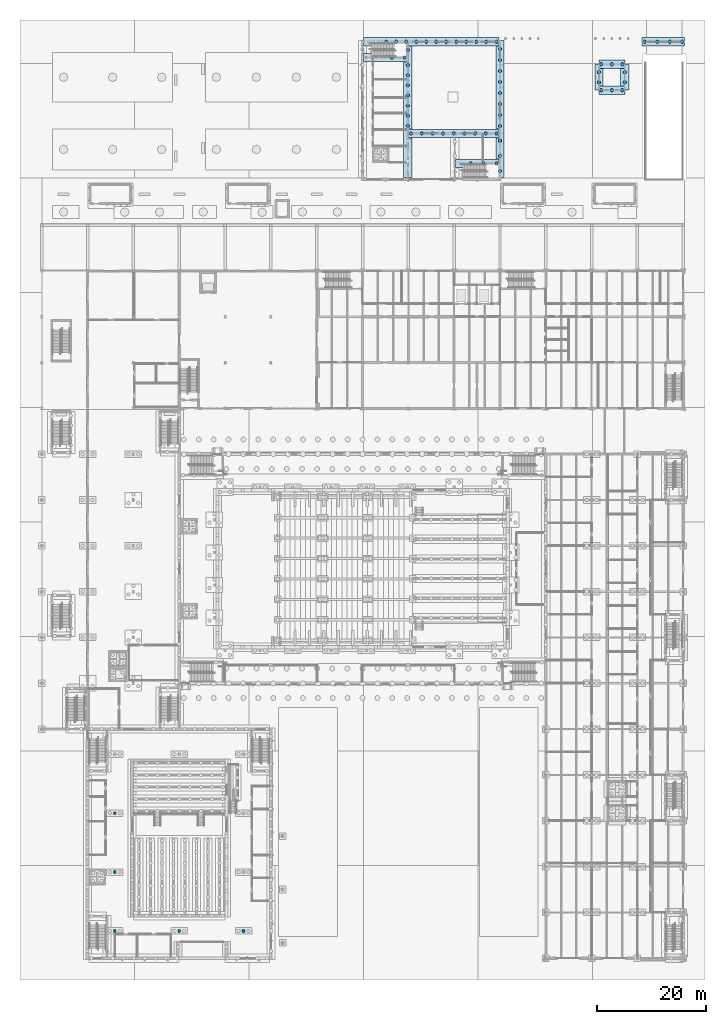
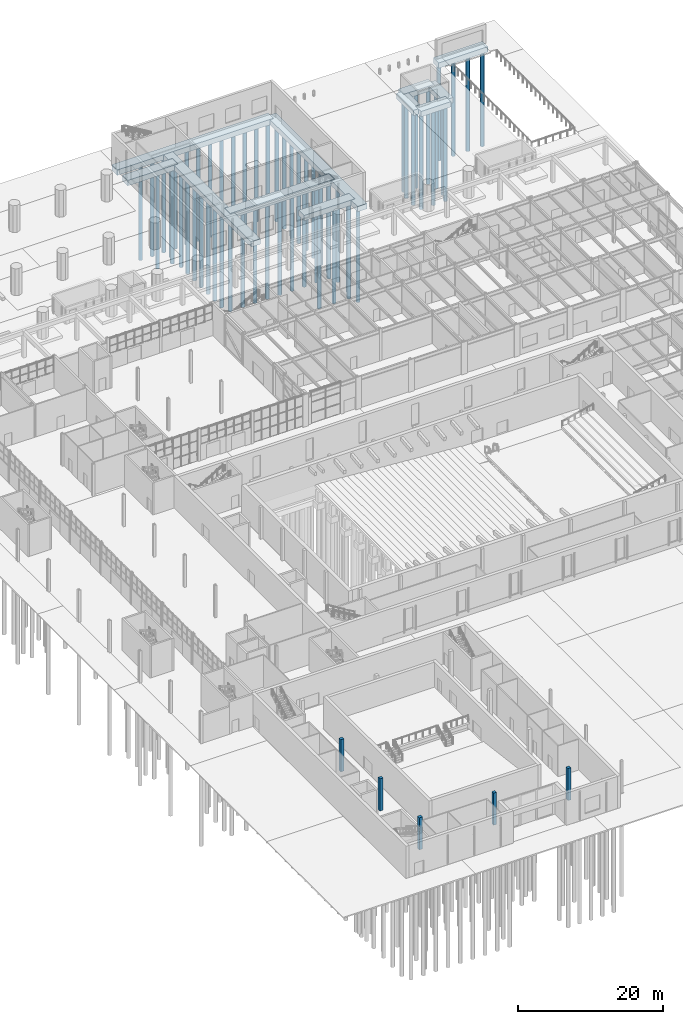
# One storey, part 16 of 127: 59 piles, 11 footings, 5 columns.
"""IFC4 building model written with IfcOpenShell, lengths in metres."""

from ifc_helpers import new_model, si_unit, direction, frame, origin, origin_2d, place, context, subcontext, project, spatial, polyline, rectangle, circle, outline, extrude, material, layer, layer_set, material_profile, profile_set, type_object, element, save


model = new_model("IFC4")

# Units and contexts
model_context = context("Model", 3, precision=1e-05, world=origin(), true_north=direction((0.0, 1.0)))
body_context = subcontext(model_context, "Body", "Model", "MODEL_VIEW")
ifc_project = project(units=[si_unit("LENGTHUNIT", "METRE"), si_unit("AREAUNIT", "SQUARE_METRE"), si_unit("VOLUMEUNIT", "CUBIC_METRE"), si_unit("PLANEANGLEUNIT", "RADIAN"), si_unit("MASSUNIT", "GRAM", prefix="KILO")], contexts=[model_context])

# Site, building, storey
site_placement = place(None, origin())
site = spatial("IfcSite", under=ifc_project, at=site_placement, CompositionType="ELEMENT")
building_placement = place(site_placement, origin())
building = spatial("IfcBuilding", under=site, at=building_placement, Name="Ljudholm Concert House", CompositionType="ELEMENT")
storey_placement = place(building_placement, origin())
storey = spatial("IfcBuildingStorey", under=building, at=storey_placement, Name="L00", CompositionType="ELEMENT", Elevation=0.0)

# Piles
ifc_material_1 = material(Name="Concrete 5,000 psi", Category="concrete")
ifc_material_profile_1 = material_profile(ifc_material_1, circle(Radius=0.300048828125, at=origin_2d()), Name="AUGER-CAST PILE D600")
ifc_profile_set_1 = profile_set([ifc_material_profile_1], Name="Concrete 5,000 psi")
pile_type = type_object("IfcPileType", Name="AUGER-CAST PILE D600", PredefinedType="BORED", material=ifc_profile_set_1)
for number, where, z_axis, x_axis, name in (
    (1, (68.14990234375, 169.10009765625, -1.31005859375), (0.0, 0.0, -1.0), (1.0, 0.0, 0.0), "Pile D600"),
    (2, (70.5, 169.10009765625, -1.31005859375), (0.0, 0.0, -1.0), (1.0, 0.0, 0.0), "Pile D600"),
    (3, (82.61669921875, 149.699951171875, -1.31005859375), (0.0, 0.0, -1.0), (1.0, 0.0, 0.0), "Pile D600"),
    (4, (84.9833984375, 149.699951171875, -1.31005859375), (0.0, 0.0, -1.0), (1.0, 0.0, 0.0), "Pile D600"),
    (5, (87.35009765625, 149.699951171875, -1.31005859375), (0.0, 0.0, -1.0), (1.0, 0.0, 0.0), "Pile D600"),
    (6, (71.699951171875, 155.199951171875, -1.31005859375), (0.0, 0.0, -1.0), (1.0, 0.0, 0.0), "Pile D600"),
    (7, (73.65625, 155.199951171875, -1.31005859375), (0.0, 0.0, -1.0), (1.0, 0.0, 0.0), "Pile D600"),
    (8, (75.612548828125, 155.199951171875, -1.31005859375), (0.0, 0.0, -1.0), (1.0, 0.0, 0.0), "Pile D600"),
    (9, (77.56884765625, 155.199951171875, -1.31005859375), (0.0, 0.0, -1.0), (1.0, 0.0, 0.0), "Pile D600"),
    (10, (79.52490234375, 155.199951171875, -1.31005859375), (0.0, 0.0, -1.0), (1.0, 0.0, 0.0), "Pile D600"),
    (11, (81.481201171875, 155.199951171875, -1.31005859375), (0.0, 0.0, -1.0), (1.0, 0.0, 0.0), "Pile D600"),
    (12, (83.4375, 155.199951171875, -1.31005859375), (0.0, 0.0, -1.0), (1.0, 0.0, 0.0), "Pile D600"),
    (13, (85.393798828125, 155.199951171875, -1.31005859375), (0.0, 0.0, -1.0), (1.0, 0.0, 0.0), "Pile D600"),
    (14, (87.35009765625, 155.199951171875, -1.31005859375), (0.0, 0.0, -1.0), (1.0, 0.0, 0.0), "Pile D600"),
    (15, (67.126953125, 172.0, -1.31005859375), (0.0, 0.0, -1.0), (1.0, 0.0, 0.0), "Pile D600"),
    (16, (68.96533203125, 172.0, -1.31005859375), (0.0, 0.0, -1.0), (1.0, 0.0, 0.0), "Pile D600"),
    (17, (70.803955078125, 172.0, -1.31005859375), (0.0, 0.0, -1.0), (1.0, 0.0, 0.0), "Pile D600"),
    (18, (72.642333984375, 172.0, -1.31005859375), (0.0, 0.0, -1.0), (1.0, 0.0, 0.0), "Pile D600"),
    (19, (74.480712890625, 172.0, -1.31005859375), (0.0, 0.0, -1.0), (1.0, 0.0, 0.0), "Pile D600"),
    (20, (76.3193359375, 172.0, -1.31005859375), (0.0, 0.0, -1.0), (1.0, 0.0, 0.0), "Pile D600"),
    (21, (78.15771484375, 172.0, -1.31005859375), (0.0, 0.0, -1.0), (1.0, 0.0, 0.0), "Pile D600"),
    (22, (79.99609375, 172.0, -1.31005859375), (0.0, 0.0, -1.0), (1.0, 0.0, 0.0), "Pile D600"),
    (23, (81.834716796875, 172.0, -1.31005859375), (0.0, 0.0, -1.0), (1.0, 0.0, 0.0), "Pile D600"),
    (24, (83.673095703125, 172.0, -1.31005859375), (0.0, 0.0, -1.0), (1.0, 0.0, 0.0), "Pile D600"),
    (25, (85.511474609375, 172.0, -1.31005859375), (0.0, 0.0, -1.0), (1.0, 0.0, 0.0), "Pile D600"),
    (26, (87.35009765625, 172.0, -1.31005859375), (0.0, 0.0, -1.0), (1.0, 0.0, 0.0), "Pile D600"),
    (27, (114.5, 172.0, -1.199951171875), (0.0, 0.0, -1.0), (1.0, 0.0, 0.0), "Pile D600"),
    (28, (116.800048828125, 172.0, -1.199951171875), (0.0, 0.0, -1.0), (1.0, 0.0, 0.0), "Pile D600"),
    (29, (119.10009765625, 172.0, -1.199951171875), (0.0, 0.0, -1.0), (1.0, 0.0, 0.0), "Pile D600"),
    (30, (121.39990234375, 172.0, -1.199951171875), (0.0, 0.0, -1.0), (1.0, 0.0, 0.0), "Pile D600"),
    (31, (106.574951171875, 167.875, -1.199951171875), (0.0, 0.0, -1.0), (1.0, 0.0, 0.0), "Pile D600"),
    (32, (108.5, 167.875, -1.199951171875), (0.0, 0.0, -1.0), (1.0, 0.0, 0.0), "Pile D600"),
    (33, (110.425048828125, 167.875, -1.199951171875), (0.0, 0.0, -1.0), (1.0, 0.0, 0.0), "Pile D600"),
    (34, (106.574951171875, 163.125, -1.199951171875), (0.0, 0.0, -1.0), (1.0, 0.0, 0.0), "Pile D600"),
    (35, (108.5, 163.125, -1.199951171875), (0.0, 0.0, -1.0), (1.0, 0.0, 0.0), "Pile D600"),
    (36, (110.425048828125, 163.125, -1.199951171875), (0.0, 0.0, -1.0), (1.0, 0.0, 0.0), "Pile D600"),
    (37, (71.10009765625, 156.57421875, -1.31005859375), (0.0, 0.0, -1.0), (1.0, 0.0, 0.0), "Pile D600"),
    (38, (71.10009765625, 158.432861328125, -1.31005859375), (0.0, 0.0, -1.0), (1.0, 0.0, 0.0), "Pile D600"),
    (39, (71.10009765625, 160.29150390625, -1.31005859375), (0.0, 0.0, -1.0), (1.0, 0.0, 0.0), "Pile D600"),
    (40, (71.10009765625, 162.14990234375, -1.31005859375), (0.0, 0.0, -1.0), (1.0, 0.0, 0.0), "Pile D600"),
    (41, (71.10009765625, 164.008544921875, -1.31005859375), (0.0, 0.0, -1.0), (1.0, 0.0, 0.0), "Pile D600"),
    (42, (71.10009765625, 165.8671875, -1.31005859375), (0.0, 0.0, -1.0), (1.0, 0.0, 0.0), "Pile D600"),
    (43, (71.10009765625, 167.7255859375, -1.31005859375), (0.0, 0.0, -1.0), (1.0, 0.0, 0.0), "Pile D600"),
    (44, (71.10009765625, 170.501953125, -1.31005859375), (0.0, 0.0, -1.0), (1.0, 0.0, 0.0), "Pile D600"),
    (45, (88.0, 148.31787109375, -1.31005859375), (0.0, 0.0, -1.0), (1.0, 0.0, 0.0), "Pile D600"),
    (46, (88.0, 151.051513671875, -1.31005859375), (0.0, 0.0, -1.0), (1.0, 0.0, 0.0), "Pile D600"),
    (47, (88.0, 153.848388671875, -1.31005859375), (0.0, 0.0, -1.0), (1.0, 0.0, 0.0), "Pile D600"),
    (48, (88.0, 156.551513671875, -1.31005859375), (0.0, 0.0, -1.0), (1.0, 0.0, 0.0), "Pile D600"),
    (49, (88.0, 158.5654296875, -1.31005859375), (0.0, 0.0, -1.0), (1.0, 0.0, 0.0), "Pile D600"),
    (50, (88.0, 160.579345703125, -1.31005859375), (0.0, 0.0, -1.0), (1.0, 0.0, 0.0), "Pile D600"),
    (51, (88.0, 162.593017578125, -1.31005859375), (0.0, 0.0, -1.0), (1.0, 0.0, 0.0), "Pile D600"),
    (52, (88.0, 164.60693359375, -1.31005859375), (0.0, 0.0, -1.0), (1.0, 0.0, 0.0), "Pile D600"),
    (53, (88.0, 166.620849609375, -1.31005859375), (0.0, 0.0, -1.0), (1.0, 0.0, 0.0), "Pile D600"),
    (54, (88.0, 168.634521484375, -1.31005859375), (0.0, 0.0, -1.0), (1.0, 0.0, 0.0), "Pile D600"),
    (55, (88.0, 170.6484375, -1.31005859375), (0.0, 0.0, -1.0), (1.0, 0.0, 0.0), "Pile D600"),
    (56, (110.875, 164.5556640625, -1.199951171875), (0.0, 0.0, -1.0), (1.0, 0.0, 0.0), "Pile D600"),
    (57, (110.875, 166.4443359375, -1.199951171875), (0.0, 0.0, -1.0), (1.0, 0.0, 0.0), "Pile D600"),
    (58, (106.125, 164.5556640625, -1.199951171875), (0.0, 0.0, -1.0), (1.0, 0.0, 0.0), "Pile D600"),
    (59, (106.125, 166.4443359375, -1.199951171875), (0.0, 0.0, -1.0), (1.0, 0.0, 0.0), "Pile D600"),
):
    element("IfcPile", number, at=place(storey_placement, frame(where, z_axis=z_axis, x_axis=x_axis)), inside=storey, type_object=pile_type, Name=name, PredefinedType="BORED", context=body_context, shape_type="SweptSolid", body=[
        extrude(circle(Radius=0.300048828125, at=origin_2d()), origin(), (0.0, 0.0, 1.0), 16.0),
    ])

# Footings
ifc_material_2 = material(Name="Concrete 5,000 psi", Category="concrete")
ifc_layer = layer(ifc_material_2, 0.89990234375)
ifc_layer_set = layer_set([ifc_layer], Name="Concrete 5,000 psi")
footing_type = type_object("IfcFootingType", Name="RC STRIP FOOTING 1500x900", PredefinedType="STRIP_FOOTING", material=ifc_layer_set)
footing_1_placement = place(storey_placement, frame((0.0, 0.0, -1.31005859375)))
element("IfcFooting", 60, at=footing_1_placement, inside=storey, type_object=footing_type, Name="Strip footing", PredefinedType="STRIP_FOOTING", context=body_context, shape_type="SweptSolid", body=[
    extrude(outline(polyline([(63.010009765625, 168.35009765625), (70.94189453125, 168.35009765625), (70.94482421875, 168.35107421875), (70.94775390625, 168.353759765625), (70.94921875, 168.356201171875), (70.949951171875, 168.360107421875), (70.94970703125, 169.842041015625), (70.94873046875, 169.8447265625), (70.9462890625, 169.84765625), (70.94287109375, 169.849609375), (70.93994140625, 169.85009765625), (63.008056640625, 169.849853515625), (63.00537109375, 169.848876953125), (63.002197265625, 169.846435546875), (63.00048828125, 169.843017578125), (63.0, 169.840087890625), (63.0, 168.360107421875), (63.000732421875, 168.356201171875), (63.0029296875, 168.35302734375), (63.006103515625, 168.350830078125), (63.010009765625, 168.35009765625)])), origin(), (0.0, 0.0, 1.0), 0.900146484375),
])
footing_2_placement = place(storey_placement, frame((0.0, 0.0, -1.31005859375)))
element("IfcFooting", 61, at=footing_2_placement, inside=storey, type_object=footing_type, Name="Strip footing", PredefinedType="STRIP_FOOTING", context=body_context, shape_type="SweptSolid", body=[
    extrude(outline(polyline([(79.81005859375, 148.949951171875), (87.7919921875, 148.9501953125), (87.794677734375, 148.951171875), (87.7978515625, 148.95361328125), (87.79931640625, 148.9560546875), (87.800048828125, 148.9599609375), (87.7998046875, 150.44189453125), (87.798828125, 150.44482421875), (87.79638671875, 150.44775390625), (87.79296875, 150.449462890625), (87.7900390625, 150.449951171875), (79.80810546875, 150.44970703125), (79.80517578125, 150.44873046875), (79.80224609375, 150.4462890625), (79.80078125, 150.44384765625), (79.800048828125, 150.43994140625), (79.800048828125, 148.9599609375), (79.80078125, 148.9560546875), (79.802978515625, 148.952880859375), (79.80615234375, 148.95068359375), (79.81005859375, 148.949951171875)])), origin(), (0.0, 0.0, 1.0), 0.900146484375),
])
footing_3_placement = place(storey_placement, frame((0.0, 0.0, -1.31005859375)))
element("IfcFooting", 62, at=footing_3_placement, inside=storey, type_object=footing_type, Name="Strip footing", PredefinedType="STRIP_FOOTING", context=body_context, shape_type="SweptSolid", body=[
    extrude(outline(polyline([(71.260009765625, 154.449951171875), (87.791015625, 154.449951171875), (87.794677734375, 154.451171875), (87.7978515625, 154.45361328125), (87.79931640625, 154.4560546875), (87.800048828125, 154.4599609375), (87.800048828125, 155.94091796875), (87.798828125, 155.94482421875), (87.79638671875, 155.94775390625), (87.79296875, 155.949462890625), (87.7900390625, 155.949951171875), (71.259033203125, 155.949951171875), (71.25537109375, 155.94873046875), (71.252197265625, 155.9462890625), (71.250732421875, 155.94384765625), (71.25, 155.93994140625), (71.25, 154.4599609375), (71.250732421875, 154.4560546875), (71.2529296875, 154.452880859375), (71.256103515625, 154.45068359375), (71.260009765625, 154.449951171875)])), origin(), (0.0, 0.0, 1.0), 0.900146484375),
])
footing_4_placement = place(storey_placement, frame((0.0, 0.0, -1.31005859375)))
element("IfcFooting", 63, at=footing_4_placement, inside=storey, type_object=footing_type, Name="Strip footing", PredefinedType="STRIP_FOOTING", context=body_context, shape_type="SweptSolid", body=[
    extrude(outline(polyline([(63.010009765625, 171.25), (87.791015625, 171.25), (87.794677734375, 171.251220703125), (87.7978515625, 171.253662109375), (87.79931640625, 171.256103515625), (87.800048828125, 171.260009765625), (87.800048828125, 172.740966796875), (87.798828125, 172.74462890625), (87.79638671875, 172.747802734375), (87.79296875, 172.74951171875), (87.7900390625, 172.75), (63.009033203125, 172.75), (63.00537109375, 172.748779296875), (63.002197265625, 172.746337890625), (63.00048828125, 172.742919921875), (63.0, 172.739990234375), (63.0, 171.260009765625), (63.000732421875, 171.256103515625), (63.0029296875, 171.2529296875), (63.006103515625, 171.250732421875), (63.010009765625, 171.25)])), origin(), (0.0, 0.0, 1.0), 0.900146484375),
])
footing_5_placement = place(storey_placement, frame((0.0, 0.0, -1.199951171875)))
element("IfcFooting", 64, at=footing_5_placement, inside=storey, type_object=footing_type, Name="Strip footing", PredefinedType="STRIP_FOOTING", context=body_context, shape_type="SweptSolid", body=[
    extrude(outline(polyline([(114.06005859375, 171.25), (121.842041015625, 171.250244140625), (121.8447265625, 171.251220703125), (121.84765625, 171.253662109375), (121.84912109375, 171.256103515625), (121.85009765625, 171.260009765625), (121.849853515625, 172.741943359375), (121.848876953125, 172.74462890625), (121.846435546875, 172.747802734375), (121.843017578125, 172.74951171875), (121.840087890625, 172.75), (114.05810546875, 172.749755859375), (114.05517578125, 172.748779296875), (114.05224609375, 172.746337890625), (114.05078125, 172.743896484375), (114.050048828125, 172.739990234375), (114.050048828125, 171.260009765625), (114.05078125, 171.256103515625), (114.052978515625, 171.2529296875), (114.05615234375, 171.250732421875), (114.06005859375, 171.25)])), origin(), (0.0, 0.0, 1.0), 0.89990234375),
])
footing_6_placement = place(storey_placement, frame((0.0, 0.0, -1.199951171875)))
element("IfcFooting", 65, at=footing_6_placement, inside=storey, type_object=footing_type, Name="Strip footing", PredefinedType="STRIP_FOOTING", context=body_context, shape_type="SweptSolid", body=[
    extrude(outline(polyline([(106.135009765625, 167.125), (110.867919921875, 167.12548828125), (110.872802734375, 167.128662109375), (110.874267578125, 167.131103515625), (110.875, 167.135009765625), (110.87451171875, 168.617919921875), (110.871337890625, 168.622802734375), (110.867919921875, 168.62451171875), (110.864990234375, 168.625), (106.132080078125, 168.62451171875), (106.127197265625, 168.621337890625), (106.125732421875, 168.618896484375), (106.125, 168.614990234375), (106.125, 167.135009765625), (106.125732421875, 167.131103515625), (106.1279296875, 167.1279296875), (106.131103515625, 167.125732421875), (106.135009765625, 167.125)])), origin(), (0.0, 0.0, 1.0), 0.89990234375),
])
footing_7_placement = place(storey_placement, frame((0.0, 0.0, -1.199951171875)))
element("IfcFooting", 66, at=footing_7_placement, inside=storey, type_object=footing_type, Name="Strip footing", PredefinedType="STRIP_FOOTING", context=body_context, shape_type="SweptSolid", body=[
    extrude(outline(polyline([(106.135009765625, 162.375), (110.867919921875, 162.37548828125), (110.872802734375, 162.378662109375), (110.874267578125, 162.381103515625), (110.875, 162.385009765625), (110.87451171875, 163.867919921875), (110.871337890625, 163.872802734375), (110.867919921875, 163.87451171875), (110.864990234375, 163.875), (106.132080078125, 163.87451171875), (106.127197265625, 163.871337890625), (106.125732421875, 163.868896484375), (106.125, 163.864990234375), (106.125, 162.385009765625), (106.125732421875, 162.381103515625), (106.1279296875, 162.3779296875), (106.131103515625, 162.375732421875), (106.135009765625, 162.375)])), origin(), (0.0, 0.0, 1.0), 0.89990234375),
])
footing_8_placement = place(storey_placement, frame((0.0, 0.0, -1.31005859375)))
element("IfcFooting", 67, at=footing_8_placement, inside=storey, type_object=footing_type, Name="Strip footing", PredefinedType="STRIP_FOOTING", context=body_context, shape_type="SweptSolid", body=[
    extrude(outline(polyline([(70.35009765625, 171.239990234375), (70.35009765625, 169.909912109375), (70.35107421875, 169.9052734375), (70.355224609375, 169.901123046875), (70.360107421875, 169.89990234375), (70.98974609375, 169.89990234375), (70.993896484375, 169.899169921875), (70.9970703125, 169.89697265625), (70.999267578125, 169.893798828125), (71.0, 169.8896484375), (71.0, 168.310302734375), (70.999267578125, 168.30615234375), (70.99560546875, 168.3017578125), (70.98974609375, 168.300048828125), (70.360107421875, 168.300048828125), (70.356201171875, 168.29931640625), (70.35302734375, 168.297119140625), (70.350830078125, 168.2939453125), (70.35009765625, 168.2900390625), (70.35009765625, 147.158935546875), (70.35107421875, 147.1552734375), (70.353759765625, 147.15234375), (70.357177734375, 147.150390625), (70.360107421875, 147.14990234375), (71.841064453125, 147.150146484375), (71.8447265625, 147.151123046875), (71.84765625, 147.153564453125), (71.84912109375, 147.15625), (71.85009765625, 147.159912109375), (71.849853515625, 154.390869140625), (71.848876953125, 154.394775390625), (71.846435546875, 154.397705078125), (71.843017578125, 154.399658203125), (71.840087890625, 154.39990234375), (71.210205078125, 154.39990234375), (71.204345703125, 154.401611328125), (71.20068359375, 154.40625), (71.199951171875, 154.41015625), (71.199951171875, 155.98974609375), (71.20068359375, 155.993896484375), (71.202880859375, 155.9970703125), (71.206298828125, 155.999267578125), (71.210205078125, 156.0), (71.840087890625, 156.0), (71.84375, 156.000732421875), (71.84716796875, 156.0029296875), (71.84912109375, 156.006103515625), (71.85009765625, 156.010009765625), (71.849853515625, 171.240966796875), (71.848876953125, 171.24462890625), (71.846435546875, 171.247802734375), (71.843017578125, 171.24951171875), (71.840087890625, 171.25), (70.360107421875, 171.25), (70.356201171875, 171.249267578125), (70.35302734375, 171.2470703125), (70.350830078125, 171.243896484375), (70.35009765625, 171.239990234375)])), origin(), (0.0, 0.0, 1.0), 0.900146484375),
])
footing_9_placement = place(storey_placement, frame((0.0, 0.0, -1.31005859375)))
element("IfcFooting", 68, at=footing_9_placement, inside=storey, type_object=footing_type, Name="Strip footing", PredefinedType="STRIP_FOOTING", context=body_context, shape_type="SweptSolid", body=[
    extrude(outline(polyline([(87.25, 148.889892578125), (87.25, 147.159912109375), (87.250732421875, 147.15625), (87.252197265625, 147.153564453125), (87.25537109375, 147.151123046875), (87.260009765625, 147.14990234375), (88.739990234375, 147.14990234375), (88.742919921875, 147.150390625), (88.746337890625, 147.15234375), (88.749267578125, 147.15625), (88.75, 147.159912109375), (88.75, 172.18994140625), (88.749267578125, 172.19384765625), (88.747802734375, 172.1962890625), (88.74462890625, 172.19873046875), (88.740966796875, 172.199951171875), (87.860107421875, 172.199951171875), (87.8544921875, 172.1982421875), (87.85107421875, 172.19482421875), (87.85009765625, 172.18994140625), (87.85009765625, 171.210205078125), (87.848388671875, 171.204345703125), (87.8447265625, 171.201171875), (87.83984375, 171.199951171875), (87.260009765625, 171.199951171875), (87.257080078125, 171.199462890625), (87.253662109375, 171.19775390625), (87.251220703125, 171.19482421875), (87.25, 171.19091796875), (87.25, 156.010009765625), (87.250732421875, 156.006103515625), (87.2529296875, 156.0029296875), (87.256103515625, 156.000732421875), (87.260009765625, 156.0), (87.83984375, 156.0), (87.845458984375, 155.998291015625), (87.84912109375, 155.993896484375), (87.85009765625, 155.98974609375), (87.85009765625, 154.41015625), (87.84912109375, 154.40625), (87.84716796875, 154.40283203125), (87.84375, 154.40087890625), (87.83984375, 154.39990234375), (87.260009765625, 154.39990234375), (87.257080078125, 154.399658203125), (87.253662109375, 154.397705078125), (87.251220703125, 154.394775390625), (87.250244140625, 154.391845703125), (87.25, 150.510009765625), (87.250732421875, 150.506103515625), (87.2529296875, 150.5029296875), (87.256103515625, 150.500732421875), (87.260009765625, 150.5), (87.83984375, 150.5), (87.845458984375, 150.498291015625), (87.84912109375, 150.493896484375), (87.85009765625, 150.48974609375), (87.85009765625, 148.91015625), (87.84912109375, 148.90625), (87.84716796875, 148.90283203125), (87.84375, 148.90087890625), (87.83984375, 148.89990234375), (87.260009765625, 148.89990234375), (87.256103515625, 148.899169921875), (87.2529296875, 148.89697265625), (87.250732421875, 148.893798828125), (87.25, 148.889892578125)])), origin(), (0.0, 0.0, 1.0), 0.900146484375),
])
footing_10_placement = place(storey_placement, frame((0.0, 0.0, -1.199951171875)))
element("IfcFooting", 69, at=footing_10_placement, inside=storey, type_object=footing_type, Name="Strip footing", PredefinedType="STRIP_FOOTING", context=body_context, shape_type="SweptSolid", body=[
    extrude(outline(polyline([(110.135009765625, 163.875), (110.86474609375, 163.875), (110.868896484375, 163.874267578125), (110.8720703125, 163.8720703125), (110.874267578125, 163.868896484375), (110.875, 163.86474609375), (110.875, 163.135009765625), (110.876220703125, 163.13037109375), (110.88037109375, 163.126220703125), (110.885009765625, 163.125), (111.614990234375, 163.125), (111.61962890625, 163.126220703125), (111.623779296875, 163.13037109375), (111.625, 163.135009765625), (111.625, 167.864990234375), (111.623291015625, 167.87060546875), (111.618896484375, 167.874267578125), (111.614990234375, 167.875), (110.885009765625, 167.875), (110.88037109375, 167.873779296875), (110.876220703125, 167.86962890625), (110.875, 167.864990234375), (110.875, 167.13525390625), (110.874267578125, 167.131103515625), (110.8720703125, 167.1279296875), (110.868896484375, 167.125732421875), (110.86474609375, 167.125), (110.135009765625, 167.125), (110.12939453125, 167.123291015625), (110.125732421875, 167.118896484375), (110.125, 167.114990234375), (110.125, 163.885009765625), (110.125732421875, 163.881103515625), (110.1279296875, 163.8779296875), (110.131103515625, 163.875732421875), (110.135009765625, 163.875)])), origin(), (0.0, 0.0, 1.0), 0.89990234375),
])
footing_11_placement = place(storey_placement, frame((0.0, 0.0, -1.199951171875)))
element("IfcFooting", 70, at=footing_11_placement, inside=storey, type_object=footing_type, Name="Strip footing", PredefinedType="STRIP_FOOTING", context=body_context, shape_type="SweptSolid", body=[
    extrude(outline(polyline([(105.385009765625, 163.125), (106.114990234375, 163.125), (106.11962890625, 163.126220703125), (106.123779296875, 163.13037109375), (106.125, 163.135009765625), (106.125, 163.86474609375), (106.125732421875, 163.868896484375), (106.1279296875, 163.8720703125), (106.131103515625, 163.874267578125), (106.13525390625, 163.875), (106.864990234375, 163.875), (106.867919921875, 163.87548828125), (106.871337890625, 163.877197265625), (106.873779296875, 163.88037109375), (106.874755859375, 163.883056640625), (106.874755859375, 167.116943359375), (106.873779296875, 167.11962890625), (106.871337890625, 167.122802734375), (106.867919921875, 167.12451171875), (106.864990234375, 167.125), (106.13525390625, 167.125), (106.131103515625, 167.125732421875), (106.1279296875, 167.1279296875), (106.125732421875, 167.131103515625), (106.125, 167.13525390625), (106.125, 167.864990234375), (106.124267578125, 167.868896484375), (106.122802734375, 167.871337890625), (106.11962890625, 167.873779296875), (106.116943359375, 167.874755859375), (105.385009765625, 167.875), (105.382080078125, 167.87451171875), (105.378662109375, 167.872802734375), (105.376220703125, 167.86962890625), (105.375244140625, 167.866943359375), (105.375, 163.135009765625), (105.375732421875, 163.131103515625), (105.3779296875, 163.1279296875), (105.381103515625, 163.125732421875), (105.385009765625, 163.125)])), origin(), (0.0, 0.0, 1.0), 0.89990234375),
])

# Columns
ifc_material_3 = material(Name="Concrete 6,500 psi", Category="concrete")
ifc_material_profile_2 = material_profile(ifc_material_3, rectangle(XDim=0.5, YDim=0.5, at=origin_2d()), Name="RC COLUMN 500x500")
ifc_profile_set_2 = profile_set([ifc_material_profile_2], Name="Concrete 6,500 psi")
column_type = type_object("IfcColumnType", Name="RC COLUMN 500x500", PredefinedType="COLUMN", material=ifc_profile_set_2)
for number, where, z_axis, x_axis, name in (
    (71, (17.39990234375, 9.0, 0.0), (0.0, 0.0, 1.0), (1.0, 0.0, 0.0), "Ring column"),
    (72, (29.199951171875, 9.0, 0.0), (0.0, 0.0, 1.0), (1.0, 0.0, 0.0), "Ring column"),
    (73, (41.0, 9.0, 0.0), (0.0, 0.0, 1.0), (1.0, 0.0, 0.0), "Ring column"),
    (74, (17.39990234375, 19.800048828125, 0.0), (0.0, 0.0, 1.0), (1.0, 0.0, 0.0), "Ring column"),
    (75, (17.39990234375, 30.60009765625, 0.0), (0.0, 0.0, 1.0), (1.0, 0.0, 0.0), "Ring column"),
):
    element("IfcColumn", number, at=place(storey_placement, frame(where, z_axis=z_axis, x_axis=x_axis)), inside=storey, type_object=column_type, Name=name, PredefinedType="COLUMN", context=body_context, shape_type="SweptSolid", body=[
        extrude(rectangle(XDim=0.5, YDim=0.5, at=origin_2d()), origin(), (0.0, 0.0, 1.0), 5.39990234375),
    ])

save(model, "model.ifc")
